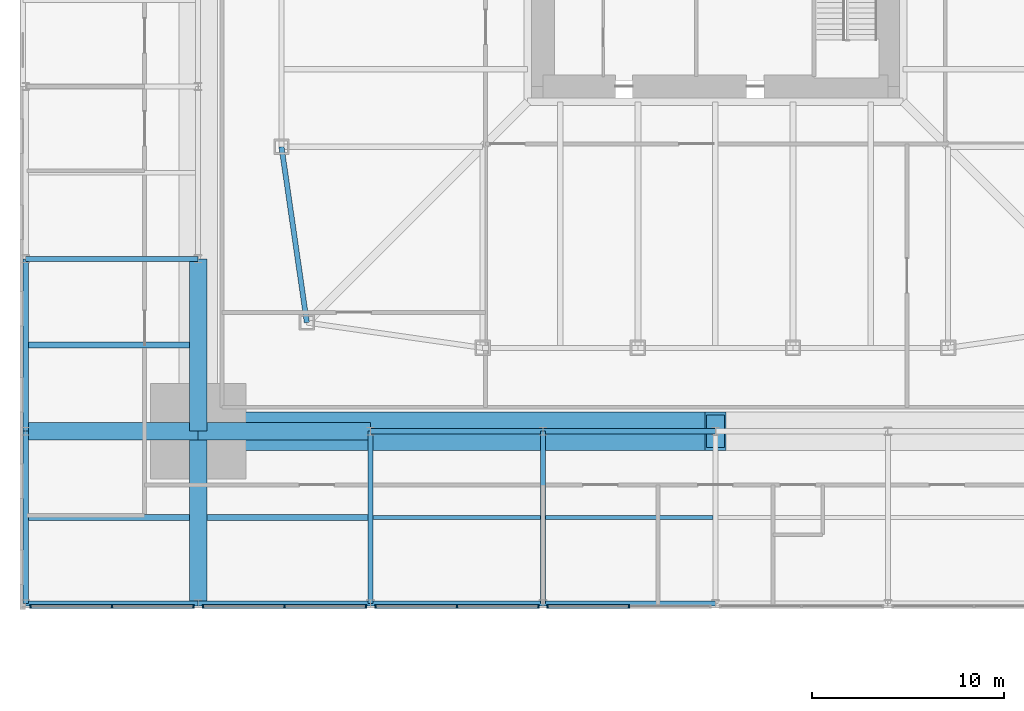
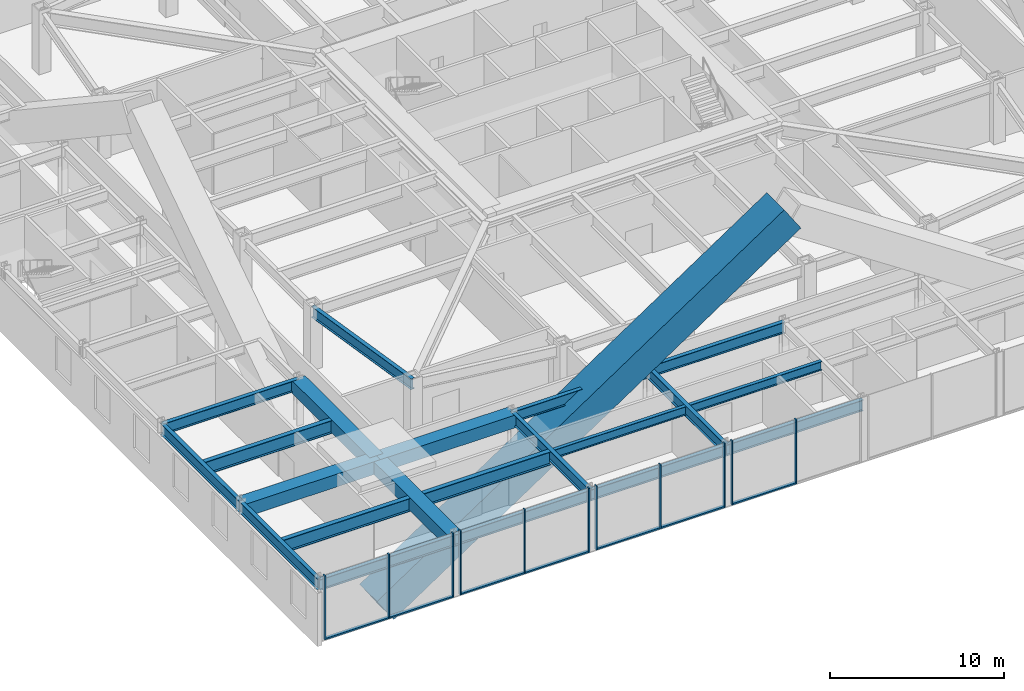
# One storey, part 6 of 32: 21 beams, 19 members, 4 elements without a shape of their own.
"""IFC4 building model written with IfcOpenShell, lengths in metres."""

from ifc_helpers import new_model, si_unit, direction, frame, origin, origin_2d, place, context, subcontext, project, spatial, rectangle, hollow_rectangle, i_section, extrude, material, material_profile, profile_set, type_object, element, aggregate, save


model = new_model("IFC4")

# Units and contexts
model_context = context("Model", 3, precision=1e-05, world=origin(), true_north=direction((0.0, 1.0)))
body_context = subcontext(model_context, "Body", "Model", "MODEL_VIEW")
ifc_project = project(units=[si_unit("LENGTHUNIT", "METRE"), si_unit("AREAUNIT", "SQUARE_METRE"), si_unit("VOLUMEUNIT", "CUBIC_METRE"), si_unit("PLANEANGLEUNIT", "RADIAN"), si_unit("MASSUNIT", "GRAM", prefix="KILO")], contexts=[model_context])

# Site, building, storey
site_placement = place(None, origin())
site = spatial("IfcSite", under=ifc_project, at=site_placement, CompositionType="ELEMENT")
building_placement = place(site_placement, origin())
building = spatial("IfcBuilding", under=site, at=building_placement, Name="Iwan Alto Co-Living Towers", CompositionType="ELEMENT")
storey_placement = place(building_placement, frame((0.0, 0.0, 6.0)))
storey = spatial("IfcBuildingStorey", under=building, at=storey_placement, Name="L01", CompositionType="ELEMENT", Elevation=6.0)

# Curtain wall, members
ifc_material_1 = material(Name="Bronze aluminium stick frame", Category="aluminium")
curtain_wall_type = type_object("IfcCurtainWallType", Name="CURTAIN WALL CW-E", PredefinedType="NOTDEFINED", material=ifc_material_1)
curtain_wall_1_placement = place(storey_placement, origin())
curtain_wall_1 = element("IfcCurtainWall", 1, at=curtain_wall_1_placement, inside=storey, type_object=curtain_wall_type, Name="Podium curtain wall S L01", PredefinedType="NOTDEFINED")
ifc_material_2 = material(Name="Aluminium 6063-T6 bronze anodised", Category="aluminium")
ifc_material_profile_1 = material_profile(ifc_material_2, rectangle(XDim=0.199951171875, YDim=0.080078125, at=origin_2d()), Name="AL 80X200")
ifc_profile_set_1 = profile_set([ifc_material_profile_1], Name="Aluminium 6063-T6 bronze anodised")
member_type_1 = type_object("IfcMemberType", Name="CW-E MULLION 80X200", PredefinedType="MULLION", material=ifc_profile_set_1)
member_1_placement = place(storey_placement, frame((-35.754150390625, -36.14990234375, 0.0), z_axis=(0.0, 0.0, 1.0), x_axis=(0.0, 1.0, 0.0)))
member_1 = element("IfcMember", 2, at=member_1_placement, type_object=member_type_1, Name="CW-E mullion 1", PredefinedType="MULLION", context=body_context, shape_type="SweptSolid", body=[
    extrude(rectangle(XDim=0.199951171875, YDim=0.080078125, at=origin_2d()), origin(), (0.0, 0.0, 1.0), 4.5),
])
member_2_placement = place(storey_placement, frame((-31.5, -36.14990234375, 0.0), z_axis=(0.0, 0.0, 1.0), x_axis=(0.0, 1.0, 0.0)))
member_2 = element("IfcMember", 3, at=member_2_placement, type_object=member_type_1, Name="CW-E mullion 2", PredefinedType="MULLION", context=body_context, shape_type="SweptSolid", body=[
    extrude(rectangle(XDim=0.199951171875, YDim=0.080078125, at=origin_2d()), origin(), (0.0, 0.0, 1.0), 4.5),
])
member_3_placement = place(storey_placement, frame((-27.245849609375, -36.14990234375, 0.0), z_axis=(0.0, 0.0, 1.0), x_axis=(0.0, 1.0, 0.0)))
member_3 = element("IfcMember", 4, at=member_3_placement, type_object=member_type_1, Name="CW-E mullion 3", PredefinedType="MULLION", context=body_context, shape_type="SweptSolid", body=[
    extrude(rectangle(XDim=0.199951171875, YDim=0.080078125, at=origin_2d()), origin(), (0.0, 0.0, 1.0), 4.5),
])

curtain_wall_2_placement = place(storey_placement, origin())
curtain_wall_2 = element("IfcCurtainWall", 5, at=curtain_wall_2_placement, inside=storey, type_object=curtain_wall_type, Name="Podium curtain wall S L01", PredefinedType="NOTDEFINED")
member_4_placement = place(storey_placement, frame((-26.754150390625, -36.14990234375, 0.0), z_axis=(0.0, 0.0, 1.0), x_axis=(0.0, 1.0, 0.0)))
member_4 = element("IfcMember", 6, at=member_4_placement, type_object=member_type_1, Name="CW-E mullion 1", PredefinedType="MULLION", context=body_context, shape_type="SweptSolid", body=[
    extrude(rectangle(XDim=0.199951171875, YDim=0.080078125, at=origin_2d()), origin(), (0.0, 0.0, 1.0), 4.5),
])
member_5_placement = place(storey_placement, frame((-22.5, -36.14990234375, 0.0), z_axis=(0.0, 0.0, 1.0), x_axis=(0.0, 1.0, 0.0)))
member_5 = element("IfcMember", 7, at=member_5_placement, type_object=member_type_1, Name="CW-E mullion 2", PredefinedType="MULLION", context=body_context, shape_type="SweptSolid", body=[
    extrude(rectangle(XDim=0.199951171875, YDim=0.080078125, at=origin_2d()), origin(), (0.0, 0.0, 1.0), 4.5),
])
member_6_placement = place(storey_placement, frame((-18.245849609375, -36.14990234375, 0.0), z_axis=(0.0, 0.0, 1.0), x_axis=(0.0, 1.0, 0.0)))
member_6 = element("IfcMember", 8, at=member_6_placement, type_object=member_type_1, Name="CW-E mullion 3", PredefinedType="MULLION", context=body_context, shape_type="SweptSolid", body=[
    extrude(rectangle(XDim=0.199951171875, YDim=0.080078125, at=origin_2d()), origin(), (0.0, 0.0, 1.0), 4.5),
])

curtain_wall_3_placement = place(storey_placement, origin())
curtain_wall_3 = element("IfcCurtainWall", 9, at=curtain_wall_3_placement, inside=storey, type_object=curtain_wall_type, Name="Podium curtain wall S L01", PredefinedType="NOTDEFINED")
member_7_placement = place(storey_placement, frame((-17.754150390625, -36.14990234375, 0.0), z_axis=(0.0, 0.0, 1.0), x_axis=(0.0, 1.0, 0.0)))
member_7 = element("IfcMember", 10, at=member_7_placement, type_object=member_type_1, Name="CW-E mullion 1", PredefinedType="MULLION", context=body_context, shape_type="SweptSolid", body=[
    extrude(rectangle(XDim=0.199951171875, YDim=0.080078125, at=origin_2d()), origin(), (0.0, 0.0, 1.0), 4.5),
])
member_8_placement = place(storey_placement, frame((-13.5, -36.14990234375, 0.0), z_axis=(0.0, 0.0, 1.0), x_axis=(0.0, 1.0, 0.0)))
member_8 = element("IfcMember", 11, at=member_8_placement, type_object=member_type_1, Name="CW-E mullion 2", PredefinedType="MULLION", context=body_context, shape_type="SweptSolid", body=[
    extrude(rectangle(XDim=0.199951171875, YDim=0.080078125, at=origin_2d()), origin(), (0.0, 0.0, 1.0), 4.5),
])
member_9_placement = place(storey_placement, frame((-9.245849609375, -36.14990234375, 0.0), z_axis=(0.0, 0.0, 1.0), x_axis=(0.0, 1.0, 0.0)))
member_9 = element("IfcMember", 12, at=member_9_placement, type_object=member_type_1, Name="CW-E mullion 3", PredefinedType="MULLION", context=body_context, shape_type="SweptSolid", body=[
    extrude(rectangle(XDim=0.199951171875, YDim=0.080078125, at=origin_2d()), origin(), (0.0, 0.0, 1.0), 4.5),
])

curtain_wall_4_placement = place(storey_placement, origin())
curtain_wall_4 = element("IfcCurtainWall", 13, at=curtain_wall_4_placement, inside=storey, type_object=curtain_wall_type, Name="Podium curtain wall S L01", PredefinedType="NOTDEFINED")
member_10_placement = place(storey_placement, frame((-8.754150390625, -36.14990234375, 0.0), z_axis=(0.0, 0.0, 1.0), x_axis=(0.0, 1.0, 0.0)))
member_10 = element("IfcMember", 14, at=member_10_placement, type_object=member_type_1, Name="CW-E mullion 1", PredefinedType="MULLION", context=body_context, shape_type="SweptSolid", body=[
    extrude(rectangle(XDim=0.199951171875, YDim=0.080078125, at=origin_2d()), origin(), (0.0, 0.0, 1.0), 4.5),
])
member_11_placement = place(storey_placement, frame((-4.5, -36.14990234375, 0.0), z_axis=(0.0, 0.0, 1.0), x_axis=(0.0, 1.0, 0.0)))
member_11 = element("IfcMember", 15, at=member_11_placement, type_object=member_type_1, Name="CW-E mullion 2", PredefinedType="MULLION", context=body_context, shape_type="SweptSolid", body=[
    extrude(rectangle(XDim=0.199951171875, YDim=0.080078125, at=origin_2d()), origin(), (0.0, 0.0, 1.0), 4.5),
])

# Member
ifc_material_3 = material(Name="Aluminium 6063-T6 bronze anodised", Category="aluminium")
ifc_material_profile_2 = material_profile(ifc_material_3, rectangle(XDim=0.199951171875, YDim=0.10009765625, at=origin_2d()), Name="AL 200X100")
ifc_profile_set_2 = profile_set([ifc_material_profile_2], Name="Aluminium 6063-T6 bronze anodised")
member_type_2 = type_object("IfcMemberType", Name="CW-E TRANSOM 200X100", PredefinedType="USERDEFINED", material=ifc_profile_set_2)
member_12_placement = place(storey_placement, frame((-35.71435546875, -36.14990234375, 0.050048828125), z_axis=(1.0, 0.0, 0.0), x_axis=(0.0, 1.0, 0.0)))
member_12 = element("IfcMember", 16, at=member_12_placement, type_object=member_type_2, Name="CW-E transom 1.1", ObjectType="TRANSOM", PredefinedType="USERDEFINED", context=body_context, shape_type="SweptSolid", body=[
    extrude(rectangle(XDim=0.199951171875, YDim=0.10009765625, at=origin_2d()), origin(), (0.0, 0.0, 1.0), 4.17431640625),
])

member_13_placement = place(storey_placement, frame((-31.4599609375, -36.14990234375, 0.050048828125), z_axis=(1.0, 0.0, 0.0), x_axis=(0.0, 1.0, 0.0)))
member_13 = element("IfcMember", 17, at=member_13_placement, type_object=member_type_2, Name="CW-E transom 2.1", ObjectType="TRANSOM", PredefinedType="USERDEFINED", context=body_context, shape_type="SweptSolid", body=[
    extrude(rectangle(XDim=0.199951171875, YDim=0.10009765625, at=origin_2d()), origin(), (0.0, 0.0, 1.0), 4.17431640625),
])

aggregate(curtain_wall_1, [member_1, member_2, member_3, member_12, member_13])

member_14_placement = place(storey_placement, frame((-26.71435546875, -36.14990234375, 0.050048828125), z_axis=(1.0, 0.0, 0.0), x_axis=(0.0, 1.0, 0.0)))
member_14 = element("IfcMember", 18, at=member_14_placement, type_object=member_type_2, Name="CW-E transom 1.1", ObjectType="TRANSOM", PredefinedType="USERDEFINED", context=body_context, shape_type="SweptSolid", body=[
    extrude(rectangle(XDim=0.199951171875, YDim=0.10009765625, at=origin_2d()), origin(), (0.0, 0.0, 1.0), 4.17431640625),
])

member_15_placement = place(storey_placement, frame((-22.4599609375, -36.14990234375, 0.050048828125), z_axis=(1.0, 0.0, 0.0), x_axis=(0.0, 1.0, 0.0)))
member_15 = element("IfcMember", 19, at=member_15_placement, type_object=member_type_2, Name="CW-E transom 2.1", ObjectType="TRANSOM", PredefinedType="USERDEFINED", context=body_context, shape_type="SweptSolid", body=[
    extrude(rectangle(XDim=0.199951171875, YDim=0.10009765625, at=origin_2d()), origin(), (0.0, 0.0, 1.0), 4.17431640625),
])

aggregate(curtain_wall_2, [member_4, member_5, member_6, member_14, member_15])

member_16_placement = place(storey_placement, frame((-17.71435546875, -36.14990234375, 0.050048828125), z_axis=(1.0, 0.0, 0.0), x_axis=(0.0, 1.0, 0.0)))
member_16 = element("IfcMember", 20, at=member_16_placement, type_object=member_type_2, Name="CW-E transom 1.1", ObjectType="TRANSOM", PredefinedType="USERDEFINED", context=body_context, shape_type="SweptSolid", body=[
    extrude(rectangle(XDim=0.199951171875, YDim=0.10009765625, at=origin_2d()), origin(), (0.0, 0.0, 1.0), 4.17431640625),
])

member_17_placement = place(storey_placement, frame((-13.4599609375, -36.14990234375, 0.050048828125), z_axis=(1.0, 0.0, 0.0), x_axis=(0.0, 1.0, 0.0)))
member_17 = element("IfcMember", 21, at=member_17_placement, type_object=member_type_2, Name="CW-E transom 2.1", ObjectType="TRANSOM", PredefinedType="USERDEFINED", context=body_context, shape_type="SweptSolid", body=[
    extrude(rectangle(XDim=0.199951171875, YDim=0.10009765625, at=origin_2d()), origin(), (0.0, 0.0, 1.0), 4.17431640625),
])

aggregate(curtain_wall_3, [member_7, member_8, member_9, member_16, member_17])

member_18_placement = place(storey_placement, frame((-8.71435546875, -36.14990234375, 0.050048828125), z_axis=(1.0, 0.0, 0.0), x_axis=(0.0, 1.0, 0.0)))
member_18 = element("IfcMember", 22, at=member_18_placement, type_object=member_type_2, Name="CW-E transom 1.1", ObjectType="TRANSOM", PredefinedType="USERDEFINED", context=body_context, shape_type="SweptSolid", body=[
    extrude(rectangle(XDim=0.199951171875, YDim=0.10009765625, at=origin_2d()), origin(), (0.0, 0.0, 1.0), 4.17431640625),
])

aggregate(curtain_wall_4, [member_10, member_11, member_18])

# Beams
ifc_material_4 = material(Name="Steel ASTM A992 Gr 50", Category="steel")
ifc_material_profile_3 = material_profile(ifc_material_4, i_section(OverallWidth=0.2666015625, OverallDepth=0.76953125, WebThickness=0.015625, FlangeThickness=0.025390625, at=origin_2d()), Name="W30X132")
ifc_profile_set_3 = profile_set([ifc_material_profile_3], Name="Steel ASTM A992 Gr 50")
beam_type_1 = type_object("IfcBeamType", Name="PODIUM BEAM W30X132", PredefinedType="BEAM", material=ifc_profile_set_3)
for number, where, z_axis, x_axis, name in (
    (23, (-36.0, -36.0, 3.865234375), (1.0, 0.0, 0.0), (0.0, 1.0, 0.0), "Podium beam 1/A-2/A L02"),
    (24, (-36.0, -36.0, 3.865234375), (0.0, 1.0, 0.0), (-1.0, 0.0, 0.0), "Podium beam 1/A-1/B L02"),
    (25, (-36.0, -27.0, 3.865234375), (0.0, 1.0, 0.0), (-1.0, 0.0, 0.0), "Podium beam 1/B-1/C L02"),
    (26, (-36.0, -18.0, 3.865234375), (1.0, 0.0, 0.0), (0.0, 1.0, 0.0), "Podium beam 1/C-2/C L02"),
    (27, (-27.0, -36.0, 3.865234375), (1.0, 0.0, 0.0), (0.0, 1.0, 0.0), "Podium beam 2/A-3/A L02"),
    (28, (-18.0, -36.0, 3.865234375), (1.0, 0.0, 0.0), (0.0, 1.0, 0.0), "Podium beam 3/A-4/A L02"),
    (29, (-18.0, -36.0, 3.865234375), (0.0, 1.0, 0.0), (-1.0, 0.0, 0.0), "Podium beam 3/A-3/B L02"),
    (30, (-18.0, -27.0, 3.865234375), (1.0, 0.0, 0.0), (0.0, 1.0, 0.0), "Podium beam 3/B-4/B L02"),
    (31, (-9.0, -36.0, 3.865234375), (1.0, 0.0, 0.0), (0.0, 1.0, 0.0), "Podium beam 4/A-5/A L02"),
    (32, (-9.0, -36.0, 3.865234375), (0.0, 1.0, 0.0), (-1.0, 0.0, 0.0), "Podium beam 4/A-4/B L02"),
    (33, (-9.0, -27.0, 3.865234375), (1.0, 0.0, 0.0), (0.0, 1.0, 0.0), "Podium beam 4/B-5/B L02"),
):
    element("IfcBeam", number, at=place(storey_placement, frame(where, z_axis=z_axis, x_axis=x_axis)), inside=storey, type_object=beam_type_1, Name=name, PredefinedType="BEAM", context=body_context, shape_type="SweptSolid", body=[
        extrude(i_section(OverallWidth=0.2666015625, OverallDepth=0.76953125, WebThickness=0.015625, FlangeThickness=0.025390625, at=origin_2d()), origin(), (0.0, 0.0, 1.0), 9.0),
    ])
ifc_material_5 = material(Name="Steel ASTM A992 Gr 50", Category="steel")
ifc_material_profile_4 = material_profile(ifc_material_5, i_section(OverallWidth=0.307373046875, OverallDepth=0.927001953125, WebThickness=0.01953125, FlangeThickness=0.031982421875, at=origin_2d()), Name="W36X194")
ifc_profile_set_4 = profile_set([ifc_material_profile_4], Name="Steel ASTM A992 Gr 50")
beam_type_2 = type_object("IfcBeamType", Name="PODIUM PIER BAY SECONDARY BEAM W36X194", PredefinedType="JOIST", material=ifc_profile_set_4)
for number, where, z_axis, x_axis, name in (
    (34, (-35.86669921875, -31.5, 3.786376953125), (1.0, 0.0, 0.0), (0.0, 1.0, 0.0), "Podium secondary beam 1/A L02"),
    (35, (-35.86669921875, -22.5, 3.786376953125), (1.0, 0.0, 0.0), (0.0, 1.0, 0.0), "Podium secondary beam 1/B L02"),
    (36, (-26.550048828125, -31.5, 3.786376953125), (1.0, 0.0, 0.0), (0.0, 1.0, 0.0), "Podium secondary beam 2/A L02"),
):
    element("IfcBeam", number, at=place(storey_placement, frame(where, z_axis=z_axis, x_axis=x_axis)), inside=storey, type_object=beam_type_2, Name=name, PredefinedType="JOIST", context=body_context, shape_type="SweptSolid", body=[
        extrude(i_section(OverallWidth=0.307373046875, OverallDepth=0.927001953125, WebThickness=0.01953125, FlangeThickness=0.031982421875, at=origin_2d()), origin(), (0.0, 0.0, 1.0), 8.416748046875),
    ])
ifc_material_6 = material(Name="Steel ASTM A572 Gr 50", Category="steel")
ifc_material_profile_5 = material_profile(ifc_material_6, hollow_rectangle(XDim=0.89990234375, YDim=0.89990234375, WallThickness=0.06005859375, at=origin_2d()), Name="BOX 900X900X60")
ifc_profile_set_5 = profile_set([ifc_material_profile_5], Name="Steel ASTM A572 Gr 50")
beam_type_3 = type_object("IfcBeamType", Name="PODIUM PIER BEAM BOX 900X900X60", PredefinedType="BEAM", material=ifc_profile_set_5)
for number, where, z_axis, x_axis, name in (
    (37, (-36.0, -27.0, 3.800048828125), (1.0, 0.0, 0.0), (0.0, 1.0, 0.0), "Podium beam 1/B-2/B L02"),
    (38, (-27.0, -36.0, 3.800048828125), (0.0, 1.0, 0.0), (-1.0, 0.0, 0.0), "Podium beam 2/A-2/B L02"),
    (39, (-27.0, -27.0, 3.800048828125), (1.0, 0.0, 0.0), (0.0, 1.0, 0.0), "Podium beam 2/B-3/B L02"),
    (40, (-27.0, -27.0, 3.800048828125), (0.0, 1.0, 0.0), (-1.0, 0.0, 0.0), "Podium beam 2/B-2/C L02"),
):
    element("IfcBeam", number, at=place(storey_placement, frame(where, z_axis=z_axis, x_axis=x_axis)), inside=storey, type_object=beam_type_3, Name=name, PredefinedType="BEAM", context=body_context, shape_type="SweptSolid", body=[
        extrude(hollow_rectangle(XDim=0.89990234375, YDim=0.89990234375, WallThickness=0.06005859375, at=origin_2d()), origin(), (0.0, 0.0, 1.0), 9.0),
    ])
ifc_material_7 = material(Name="Steel ASTM A992 Gr 50", Category="steel")
ifc_material_profile_6 = material_profile(ifc_material_7, i_section(OverallWidth=0.23046875, OverallDepth=0.6171875, WebThickness=0.01318359375, FlangeThickness=0.022216796875, at=origin_2d()), Name="W24X94")
ifc_profile_set_6 = profile_set([ifc_material_profile_6], Name="Steel ASTM A992 Gr 50")
beam_type_4 = type_object("IfcBeamType", Name="PODIUM SECONDARY BEAM W24X94", PredefinedType="JOIST", material=ifc_profile_set_6)
for number, where, z_axis, x_axis, name in (
    (41, (-17.86669921875, -31.5, 3.94140625), (1.0, 0.0, 0.0), (0.0, 1.0, 0.0), "Podium secondary beam 3/A L02"),
    (42, (-8.86669921875, -31.5, 3.94140625), (1.0, 0.0, 0.0), (0.0, 1.0, 0.0), "Podium secondary beam 4/A L02"),
):
    element("IfcBeam", number, at=place(storey_placement, frame(where, z_axis=z_axis, x_axis=x_axis)), inside=storey, type_object=beam_type_4, Name=name, PredefinedType="JOIST", context=body_context, shape_type="SweptSolid", body=[
        extrude(i_section(OverallWidth=0.23046875, OverallDepth=0.6171875, WebThickness=0.01318359375, FlangeThickness=0.022216796875, at=origin_2d()), origin(), (0.0, 0.0, 1.0), 8.7333984375),
    ])
ifc_material_8 = material(Name="Steel ASTM A992 Gr 50", Category="steel")
ifc_material_profile_7 = material_profile(ifc_material_8, i_section(OverallWidth=0.2666015625, OverallDepth=0.761962890625, WebThickness=0.014404296875, FlangeThickness=0.021484375, at=origin_2d()), Name="W30X116")
ifc_profile_set_7 = profile_set([ifc_material_profile_7], Name="Steel ASTM A992 Gr 50")
beam_type_5 = type_object("IfcBeamType", Name="T1 EDGE BEAM W30X116", PredefinedType="BEAM", material=ifc_profile_set_7)
beam_placement = place(storey_placement, frame((-22.64990234375, -12.14990234375, 3.868896484375), z_axis=(0.142836940589, -0.989746234347, 0.0), x_axis=(0.989746234347, 0.142836940589, 0.0)))
element("IfcBeam", 43, at=beam_placement, inside=storey, type_object=beam_type_5, Name="T1 edge beam W4 L02", PredefinedType="BEAM", context=body_context, shape_type="SweptSolid", body=[
    extrude(i_section(OverallWidth=0.2666015625, OverallDepth=0.761962890625, WebThickness=0.014404296875, FlangeThickness=0.021484375, at=origin_2d()), origin(), (0.0, 0.0, 1.0), 9.270751953125),
])

# Member
ifc_material_9 = material(Name="Steel ASTM A572 Gr 42", Category="steel")
ifc_material_profile_8 = material_profile(ifc_material_9, hollow_rectangle(XDim=2.0, YDim=2.0, WallThickness=0.139892578125, at=origin_2d()), Name="BOX 2000X2000X140")
ifc_profile_set_8 = profile_set([ifc_material_profile_8], Name="Steel ASTM A572 Gr 42")
member_type_3 = type_object("IfcMemberType", Name="T1 MEGA BRACE BOX 2000X2000X140", PredefinedType="BRACE", material=ifc_profile_set_8)
member_19_placement = place(storey_placement, frame((-27.0, -27.0, -6.0), z_axis=(0.832050294338, 0.0, 0.554700196225), x_axis=(0.0, 1.0, 0.0)))
element("IfcMember", 44, at=member_19_placement, inside=storey, type_object=member_type_3, Name="T1 mega brace Z1A S 1 lower", PredefinedType="BRACE", context=body_context, shape_type="SweptSolid", body=[
    extrude(hollow_rectangle(XDim=2.0, YDim=2.0, WallThickness=0.139892578125, at=origin_2d()), origin(), (0.0, 0.0, 1.0), 32.449951171875),
])

save(model, "model.ifc")
